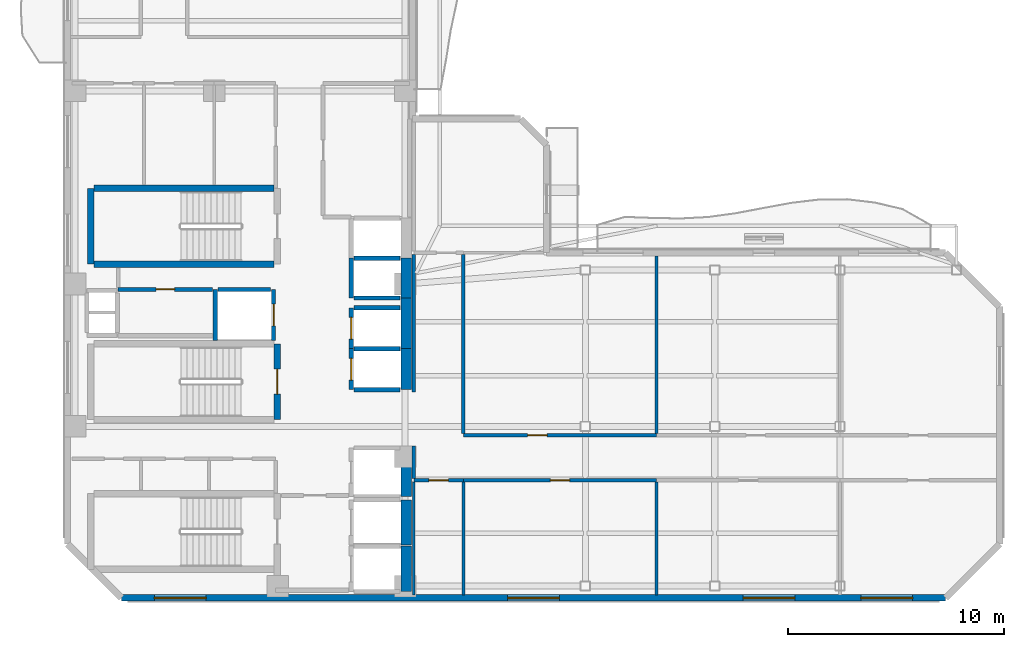
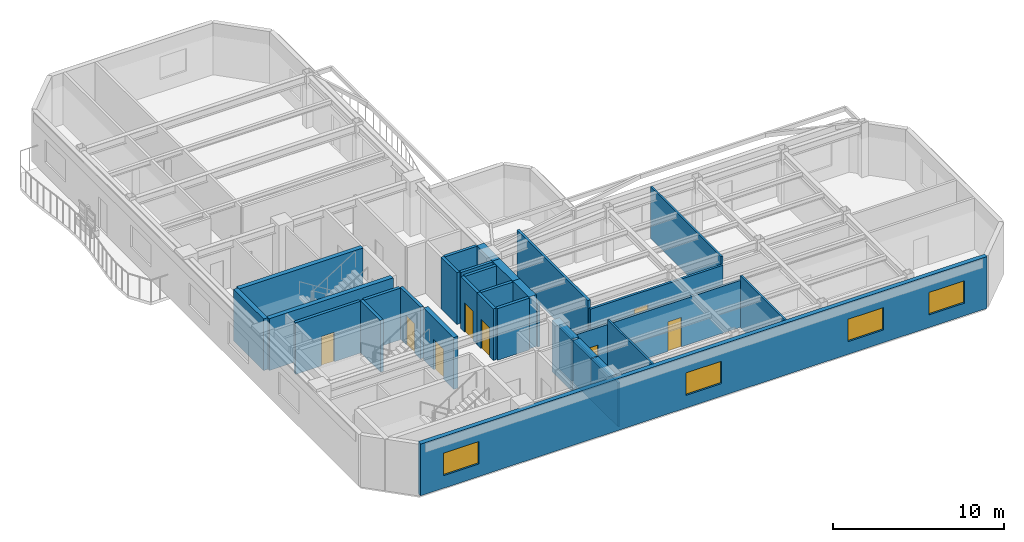
# One storey, part 3 of 11: 33 walls, 8 doors, 4 windows, 12 openings.
"""IFC4 building model written with IfcOpenShell, lengths in metres."""

from ifc_helpers import new_model, si_unit, direction, frame, frame_2d, origin, place, context, subcontext, project, spatial, rectangle, extrude, material, layer, layer_set, type_object, element, fill, save


model = new_model("IFC4")

# Units and contexts
model_context = context("Model", 3, precision=1e-05, world=origin(), true_north=direction((0.0, 1.0)))
body_context = subcontext(model_context, "Body", "Model", "MODEL_VIEW")
ifc_project = project(units=[si_unit("LENGTHUNIT", "METRE"), si_unit("AREAUNIT", "SQUARE_METRE"), si_unit("VOLUMEUNIT", "CUBIC_METRE"), si_unit("PLANEANGLEUNIT", "RADIAN"), si_unit("MASSUNIT", "GRAM", prefix="KILO")], contexts=[model_context])

# Site, building, storey
site_placement = place(None, origin())
site = spatial("IfcSite", under=ifc_project, at=site_placement, CompositionType="ELEMENT")
building_placement = place(site_placement, origin())
building = spatial("IfcBuilding", under=site, at=building_placement, Name="Mawjaban Terraces University", CompositionType="ELEMENT")
storey_placement = place(building_placement, frame((0.0, 0.0, 214.800048828125)))
storey = spatial("IfcBuildingStorey", under=building, at=storey_placement, Name="L52", CompositionType="ELEMENT", Elevation=214.800048828125)

# Walls
ifc_material_1 = material(Name="Concrete C60/75", Category="concrete")
ifc_layer_1 = layer(ifc_material_1, 0.5)
ifc_layer_set_1 = layer_set([ifc_layer_1], Name="Concrete C60/75")
wall_type_1 = type_object("IfcWallType", Name="CoreShearWall_500", PredefinedType="SHEAR", material=ifc_layer_set_1)
wall_1_placement = place(storey_placement, frame((37.699951171875, 0.300048828125, 0.0), z_axis=(0.0, 0.0, 1.0), x_axis=(0.0, 1.0, 0.0)))
element("IfcWall", 1, at=wall_1_placement, inside=storey, type_object=wall_type_1, Name="L52 Lift FL-1 Hoistway Wall East", PredefinedType="SHEAR", context=body_context, shape_type="SweptSolid", body=[
    extrude(rectangle(XDim=2.099853515625, YDim=0.5, at=frame_2d((1.0498046875, 0.0))), origin(), (0.0, 0.0, 1.0), 3.68994140625),
])
wall_2_placement = place(storey_placement, frame((37.699951171875, 2.449951171875, 0.0), z_axis=(0.0, 0.0, 1.0), x_axis=(0.0, 1.0, 0.0)))
element("IfcWall", 2, at=wall_2_placement, inside=storey, type_object=wall_type_1, Name="L52 Lift FL-2 Hoistway Wall East", PredefinedType="SHEAR", context=body_context, shape_type="SweptSolid", body=[
    extrude(rectangle(XDim=2.10009765625, YDim=0.5, at=frame_2d((1.050048828125, 0.0))), origin(), (0.0, 0.0, 1.0), 3.68994140625),
])
wall_3_placement = place(storey_placement, frame((37.699951171875, 4.699951171875, 0.0), z_axis=(0.0, 0.0, 1.0), x_axis=(0.0, 1.0, 0.0)))
element("IfcWall", 3, at=wall_3_placement, inside=storey, type_object=wall_type_1, Name="L52 Lift SL-1 Hoistway Wall East", PredefinedType="SHEAR", context=body_context, shape_type="SweptSolid", body=[
    extrude(rectangle(XDim=2.25, YDim=0.5, at=frame_2d((1.125, 0.0))), origin(), (0.0, 0.0, 1.0), 3.68994140625),
])
wall_4_placement = place(storey_placement, frame((37.699951171875, 9.64990234375, 0.0), z_axis=(0.0, 0.0, 1.0), x_axis=(0.0, 1.0, 0.0)))
element("IfcWall", 4, at=wall_4_placement, inside=storey, type_object=wall_type_1, Name="L52 Lift PL-H1 Hoistway Wall East", PredefinedType="SHEAR", context=body_context, shape_type="SweptSolid", body=[
    extrude(rectangle(XDim=1.900146484375, YDim=0.5, at=frame_2d((0.9501953125, 0.0))), origin(), (0.0, 0.0, 1.0), 3.68994140625),
])
wall_5_placement = place(storey_placement, frame((37.699951171875, 11.550048828125, 0.0), z_axis=(0.0, 0.0, 1.0), x_axis=(0.0, 1.0, 0.0)))
element("IfcWall", 5, at=wall_5_placement, inside=storey, type_object=wall_type_1, Name="L52 Lift PL-H2 Hoistway Wall East", PredefinedType="SHEAR", context=body_context, shape_type="SweptSolid", body=[
    extrude(rectangle(XDim=2.349853515625, YDim=0.5, at=frame_2d((1.1748046875, 0.0))), origin(), (0.0, 0.0, 1.0), 3.68994140625),
])
wall_6_placement = place(storey_placement, frame((37.699951171875, 13.89990234375, 0.0), z_axis=(0.0, 0.0, 1.0), x_axis=(0.0, 1.0, 0.0)))
element("IfcWall", 6, at=wall_6_placement, inside=storey, type_object=wall_type_1, Name="L52 Lift OL-1 Hoistway Wall East", PredefinedType="SHEAR", context=body_context, shape_type="SweptSolid", body=[
    extrude(rectangle(XDim=1.85009765625, YDim=0.5, at=frame_2d((0.925048828125, 0.0))), origin(), (0.0, 0.0, 1.0), 3.68994140625),
])

# Wall, opening, door
ifc_material_2 = material(Name="Fire-rated gypsum board on steel stud", Category="steel")
ifc_layer_2 = layer(ifc_material_2, 0.159912109375)
ifc_layer_set_2 = layer_set([ifc_layer_2], Name="Fire-rated gypsum board on steel stud")
wall_type_2 = type_object("IfcWallType", Name="CorridorPartition_160", PredefinedType="PARTITIONING", material=ifc_layer_set_2)
wall_7_placement = place(storey_placement, frame((38.050048828125, 5.449951171875, 0.0), z_axis=(0.0, 0.0, 1.0), x_axis=(1.0, 0.0, 0.0)))
wall_7 = element("IfcWall", 7, at=wall_7_placement, inside=storey, type_object=wall_type_2, Name="L52 South Spine Spur Link Partition 15", PredefinedType="PARTITIONING", context=body_context, shape_type="SweptSolid", body=[
    extrude(rectangle(XDim=2.300048828125, YDim=0.159912109375, at=frame_2d((1.14990234375, 0.0))), origin(), (0.0, 0.0, 1.0), 3.343017578125),
])
opening_1_placement = place(wall_7_placement, frame((0.699951171875, 0.0, 0.0)))
opening_1 = element("IfcOpeningElement", 8, at=opening_1_placement, cuts=wall_7, Name="Opening ID-090", PredefinedType="OPENING", context=body_context, shape_type="SweptSolid", body=[
    extrude(rectangle(XDim=0.89990234375, YDim=2.10009765625, at=frame_2d((0.449951171875, 1.050048828125))), frame((0.0, 0.08984375, 0.0), z_axis=(0.0, -1.0, 0.0), x_axis=(1.0, 0.0, 0.0)), (0.0, 0.0, 1.0), 0.179931640625),
])
ifc_material_3 = material(Name="Powder-coated steel frame and solid acoustic timber leaf", Category="steel")
door_type_1 = type_object("IfcDoorType", Name="OfficeDoor_900x2100", OperationType="NOTDEFINED", PredefinedType="DOOR", material=ifc_material_3)
door_1_placement = place(opening_1_placement, origin())
door_1 = element("IfcDoor", 9, at=door_1_placement, inside=storey, type_object=door_type_1, Name="L52 Collaborative Study Room 1 Door", OperationType="SINGLE_SWING_LEFT", OverallHeight=2.10009765625, OverallWidth=0.89990234375, PredefinedType="DOOR", context=body_context, shape_type="SweptSolid", body=[
    extrude(rectangle(XDim=0.89990234375, YDim=2.10009765625, at=frame_2d((0.449951171875, 1.050048828125))), frame((0.0, 0.02490234375, 0.0), z_axis=(0.0, -1.0, 0.0), x_axis=(1.0, 0.0, 0.0)), (0.0, 0.0, 1.0), 0.050048828125),
])
fill(opening_1, door_1)

wall_8_placement = place(storey_placement, frame((40.35009765625, 5.449951171875, 0.0), z_axis=(0.0, 0.0, 1.0), x_axis=(1.0, 0.0, 0.0)))
wall_8 = element("IfcWall", 10, at=wall_8_placement, inside=storey, type_object=wall_type_2, Name="L52 South Shifted Academic Corridor Partition 16", PredefinedType="PARTITIONING", context=body_context, shape_type="SweptSolid", body=[
    extrude(rectangle(XDim=8.949951171875, YDim=0.159912109375, at=frame_2d((4.47509765625, 0.0))), origin(), (0.0, 0.0, 1.0), 3.343017578125),
])
opening_2_placement = place(wall_8_placement, frame((4.02490234375, 0.0, 0.0)))
opening_2 = element("IfcOpeningElement", 11, at=opening_2_placement, cuts=wall_8, Name="Opening ID-090", PredefinedType="OPENING", context=body_context, shape_type="SweptSolid", body=[
    extrude(rectangle(XDim=0.89990234375, YDim=2.10009765625, at=frame_2d((0.449951171875, 1.050048828125))), frame((0.0, 0.08984375, 0.0), z_axis=(0.0, -1.0, 0.0), x_axis=(1.0, 0.0, 0.0)), (0.0, 0.0, 1.0), 0.179931640625),
])
door_2_placement = place(opening_2_placement, origin())
door_2 = element("IfcDoor", 12, at=door_2_placement, inside=storey, type_object=door_type_1, Name="L52 Graduate Study Lounge 2 Door", OperationType="SINGLE_SWING_RIGHT", OverallHeight=2.10009765625, OverallWidth=0.89990234375, PredefinedType="DOOR", context=body_context, shape_type="SweptSolid", body=[
    extrude(rectangle(XDim=0.89990234375, YDim=2.10009765625, at=frame_2d((0.449951171875, 1.050048828125))), frame((0.0, 0.02490234375, 0.0), z_axis=(0.0, -1.0, 0.0), x_axis=(1.0, 0.0, 0.0)), (0.0, 0.0, 1.0), 0.050048828125),
])
fill(opening_2, door_2)

wall_9_placement = place(storey_placement, frame((49.300048828125, 7.550048828125, 0.0), z_axis=(0.0, 0.0, 1.0), x_axis=(-1.0, 0.0, 0.0)))
wall_9 = element("IfcWall", 13, at=wall_9_placement, inside=storey, type_object=wall_type_2, Name="L52 South Shifted Academic Corridor Partition 20", PredefinedType="PARTITIONING", context=body_context, shape_type="SweptSolid", body=[
    extrude(rectangle(XDim=8.949951171875, YDim=0.159912109375, at=frame_2d((4.47509765625, 0.0))), origin(), (0.0, 0.0, 1.0), 3.138916015625),
])
opening_3_placement = place(wall_9_placement, frame((5.074951171875, 0.0, 0.0)))
opening_3 = element("IfcOpeningElement", 14, at=opening_3_placement, cuts=wall_9, Name="Opening ID-090", PredefinedType="OPENING", context=body_context, shape_type="SweptSolid", body=[
    extrude(rectangle(XDim=0.89990234375, YDim=2.10009765625, at=frame_2d((0.449951171875, 1.050048828125))), frame((0.0, 0.08984375, 0.0), z_axis=(0.0, -1.0, 0.0), x_axis=(1.0, 0.0, 0.0)), (0.0, 0.0, 1.0), 0.179931640625),
])
door_3_placement = place(opening_3_placement, origin())
door_3 = element("IfcDoor", 15, at=door_3_placement, inside=storey, type_object=door_type_1, Name="L52 Collaborative Study Room 3 Door", OperationType="SINGLE_SWING_LEFT", OverallHeight=2.10009765625, OverallWidth=0.89990234375, PredefinedType="DOOR", context=body_context, shape_type="SweptSolid", body=[
    extrude(rectangle(XDim=0.89990234375, YDim=2.10009765625, at=frame_2d((0.449951171875, 1.050048828125))), frame((0.0, 0.02490234375, 0.0), z_axis=(0.0, -1.0, 0.0), x_axis=(1.0, 0.0, 0.0)), (0.0, 0.0, 1.0), 0.050048828125),
])
fill(opening_3, door_3)

# Walls
wall_10_placement = place(storey_placement, frame((38.050048828125, 7.050048828125, 0.0), z_axis=(0.0, 0.0, 1.0), x_axis=(0.0, -1.0, 0.0)))
element("IfcWall", 16, at=wall_10_placement, inside=storey, type_object=wall_type_2, Name="L52 South Spine Spur Link Partition 36", PredefinedType="PARTITIONING", context=body_context, shape_type="SweptSolid", body=[
    extrude(rectangle(XDim=1.525146484375, YDim=0.159912109375, at=frame_2d((0.7626953125, 0.0))), origin(), (0.0, 0.0, 1.0), 3.138916015625),
])
wall_11_placement = place(storey_placement, frame((38.050048828125, 15.925048828125, 0.0), z_axis=(0.0, 0.0, 1.0), x_axis=(0.0, -1.0, 0.0)))
element("IfcWall", 17, at=wall_11_placement, inside=storey, type_object=wall_type_2, Name="L52 South Spine Spur Link Partition 37", PredefinedType="PARTITIONING", context=body_context, shape_type="SweptSolid", body=[
    extrude(rectangle(XDim=6.375, YDim=0.159912109375, at=frame_2d((3.1875, 0.0))), origin(), (0.0, 0.0, 1.0), 3.138916015625),
])
wall_12_placement = place(storey_placement, frame((40.35009765625, 7.625, 0.0), z_axis=(0.0, 0.0, 1.0), x_axis=(0.0, 1.0, 0.0)))
element("IfcWall", 18, at=wall_12_placement, inside=storey, type_object=wall_type_2, Name="L52 South Spine Spur Link Partition 40", PredefinedType="PARTITIONING", context=body_context, shape_type="SweptSolid", body=[
    extrude(rectangle(XDim=8.300048828125, YDim=0.159912109375, at=frame_2d((4.14990234375, 0.0))), origin(), (0.0, 0.0, 1.0), 3.68994140625),
])

# Wall, openings, windows
ifc_material_4 = material(Name="Insulated terracotta rainscreen on concrete backup C40/50", Category="masonry")
ifc_layer_3 = layer(ifc_material_4, 0.300048828125)
ifc_layer_set_3 = layer_set([ifc_layer_3], Name="Insulated terracotta rainscreen on concrete backup C40/50")
wall_type_3 = type_object("IfcWallType", Name="ExtTerracottaWall_300", PredefinedType="SOLIDWALL", material=ifc_layer_set_3)
wall_13_placement = place(storey_placement, frame((24.5, 0.0, 0.0), z_axis=(0.0, 0.0, 1.0), x_axis=(1.0, 0.0, 0.0)))
wall_13 = element("IfcWall", 19, at=wall_13_placement, inside=storey, type_object=wall_type_3, Name="L52 Exterior Terracotta Wall 1", PredefinedType="SOLIDWALL", context=body_context, shape_type="SweptSolid", body=[
    extrude(rectangle(XDim=38.199951171875, YDim=0.300048828125, at=frame_2d((19.10009765625, 0.0))), origin(), (0.0, 0.0, 1.0), 3.68994140625),
])
opening_4_placement = place(wall_13_placement, frame((1.529052734375, 0.0, 0.89990234375)))
opening_4 = element("IfcOpeningElement", 20, at=opening_4_placement, cuts=wall_13, Name="Opening W-05", PredefinedType="OPENING", context=body_context, shape_type="SweptSolid", body=[
    extrude(rectangle(XDim=2.39990234375, YDim=1.60009765625, at=frame_2d((1.199951171875, 0.800048828125))), frame((0.0, 0.159912109375, 0.0), z_axis=(0.0, -1.0, 0.0), x_axis=(1.0, 0.0, 0.0)), (0.0, 0.0, 1.0), 0.320068359375),
])
opening_5_placement = place(wall_13_placement, frame((17.89990234375, 0.0, 0.89990234375)))
opening_5 = element("IfcOpeningElement", 21, at=opening_5_placement, cuts=wall_13, Name="Opening W-05", PredefinedType="OPENING", context=body_context, shape_type="SweptSolid", body=[
    extrude(rectangle(XDim=2.39990234375, YDim=1.60009765625, at=frame_2d((1.199951171875, 0.800048828125))), frame((0.0, 0.159912109375, 0.0), z_axis=(0.0, -1.0, 0.0), x_axis=(1.0, 0.0, 0.0)), (0.0, 0.0, 1.0), 0.320068359375),
])
opening_6_placement = place(wall_13_placement, frame((28.81396484375, 0.0, 0.89990234375)))
opening_6 = element("IfcOpeningElement", 22, at=opening_6_placement, cuts=wall_13, Name="Opening W-05", PredefinedType="OPENING", context=body_context, shape_type="SweptSolid", body=[
    extrude(rectangle(XDim=2.39990234375, YDim=1.60009765625, at=frame_2d((1.199951171875, 0.800048828125))), frame((0.0, 0.159912109375, 0.0), z_axis=(0.0, -1.0, 0.0), x_axis=(1.0, 0.0, 0.0)), (0.0, 0.0, 1.0), 0.320068359375),
])
opening_7_placement = place(wall_13_placement, frame((34.27099609375, 0.0, 0.89990234375)))
opening_7 = element("IfcOpeningElement", 23, at=opening_7_placement, cuts=wall_13, Name="Opening W-05", PredefinedType="OPENING", context=body_context, shape_type="SweptSolid", body=[
    extrude(rectangle(XDim=2.39990234375, YDim=1.60009765625, at=frame_2d((1.199951171875, 0.800048828125))), frame((0.0, 0.159912109375, 0.0), z_axis=(0.0, -1.0, 0.0), x_axis=(1.0, 0.0, 0.0)), (0.0, 0.0, 1.0), 0.320068359375),
])
ifc_material_5 = material(Name="Low-E solar-control double glazing in thermally broken aluminium frame", Category="aluminium")
window_type = type_object("IfcWindowType", Name="Win_2400x1600", PartitioningType="SINGLE_PANEL", PredefinedType="WINDOW", material=ifc_material_5)
window_1_placement = place(opening_4_placement, origin())
window_1 = element("IfcWindow", 24, at=window_1_placement, inside=storey, type_object=window_type, Name="L52 Facade Window 1.1", OverallHeight=1.60009765625, OverallWidth=2.39990234375, PartitioningType="SINGLE_PANEL", PredefinedType="WINDOW", context=body_context, shape_type="SweptSolid", body=[
    extrude(rectangle(XDim=2.39990234375, YDim=1.60009765625, at=frame_2d((1.199951171875, 0.800048828125))), frame((0.0, 0.030029296875, 0.0), z_axis=(0.0, -1.0, 0.0), x_axis=(1.0, 0.0, 0.0)), (0.0, 0.0, 1.0), 0.06005859375),
])
fill(opening_4, window_1)
window_2_placement = place(opening_5_placement, origin())
window_2 = element("IfcWindow", 25, at=window_2_placement, inside=storey, type_object=window_type, Name="L52 Facade Window 1.4", OverallHeight=1.60009765625, OverallWidth=2.39990234375, PartitioningType="SINGLE_PANEL", PredefinedType="WINDOW", context=body_context, shape_type="SweptSolid", body=[
    extrude(rectangle(XDim=2.39990234375, YDim=1.60009765625, at=frame_2d((1.199951171875, 0.800048828125))), frame((0.0, 0.030029296875, 0.0), z_axis=(0.0, -1.0, 0.0), x_axis=(1.0, 0.0, 0.0)), (0.0, 0.0, 1.0), 0.06005859375),
])
fill(opening_5, window_2)
window_3_placement = place(opening_6_placement, origin())
window_3 = element("IfcWindow", 26, at=window_3_placement, inside=storey, type_object=window_type, Name="L52 Facade Window 1.6", OverallHeight=1.60009765625, OverallWidth=2.39990234375, PartitioningType="SINGLE_PANEL", PredefinedType="WINDOW", context=body_context, shape_type="SweptSolid", body=[
    extrude(rectangle(XDim=2.39990234375, YDim=1.60009765625, at=frame_2d((1.199951171875, 0.800048828125))), frame((0.0, 0.030029296875, 0.0), z_axis=(0.0, -1.0, 0.0), x_axis=(1.0, 0.0, 0.0)), (0.0, 0.0, 1.0), 0.06005859375),
])
fill(opening_6, window_3)
window_4_placement = place(opening_7_placement, origin())
window_4 = element("IfcWindow", 27, at=window_4_placement, inside=storey, type_object=window_type, Name="L52 Facade Window 1.7", OverallHeight=1.60009765625, OverallWidth=2.39990234375, PartitioningType="SINGLE_PANEL", PredefinedType="WINDOW", context=body_context, shape_type="SweptSolid", body=[
    extrude(rectangle(XDim=2.39990234375, YDim=1.60009765625, at=frame_2d((1.199951171875, 0.800048828125))), frame((0.0, 0.030029296875, 0.0), z_axis=(0.0, -1.0, 0.0), x_axis=(1.0, 0.0, 0.0)), (0.0, 0.0, 1.0), 0.06005859375),
])
fill(opening_7, window_4)

# Wall, opening, door
ifc_material_6 = material(Name="Concrete C40/50", Category="concrete")
ifc_layer_4 = layer(ifc_material_6, 0.199951171875)
ifc_layer_set_4 = layer_set([ifc_layer_4], Name="Concrete C40/50")
wall_type_4 = type_object("IfcWallType", Name="FireLobbyWall_200", PredefinedType="SOLIDWALL", material=ifc_layer_set_4)
wall_14_placement = place(storey_placement, frame((35.14990234375, 11.550048828125, 0.0), z_axis=(0.0, 0.0, 1.0), x_axis=(0.0, -1.0, 0.0)))
wall_14 = element("IfcWall", 28, at=wall_14_placement, inside=storey, type_object=wall_type_4, Name="L52 Lift PL-H1 Hoistway Wall West", PredefinedType="SOLIDWALL", context=body_context, shape_type="SweptSolid", body=[
    extrude(rectangle(XDim=1.900146484375, YDim=0.199951171875, at=frame_2d((0.9501953125, 0.0))), origin(), (0.0, 0.0, 1.0), 3.68994140625),
])
opening_8_placement = place(wall_14_placement, frame((0.449951171875, 0.0, 0.0)))
opening_8 = element("IfcOpeningElement", 29, at=opening_8_placement, cuts=wall_14, Name="Opening LD-PL-H1", PredefinedType="OPENING", context=body_context, shape_type="SweptSolid", body=[
    extrude(rectangle(XDim=1.0, YDim=2.10009765625, at=frame_2d((0.5, 1.050048828125))), frame((0.0, 0.10986328125, 0.0), z_axis=(0.0, -1.0, 0.0), x_axis=(1.0, 0.0, 0.0)), (0.0, 0.0, 1.0), 0.219970703125),
])
ifc_material_7 = material(Name="Powder-coated steel frame and fire-rated steel-faced leaf", Category="steel")
door_type_2 = type_object("IfcDoorType", Name="LiftLandingSliding_1000x2100", OperationType="NOTDEFINED", PredefinedType="DOOR", material=ifc_material_7)
door_4_placement = place(opening_8_placement, origin())
door_4 = element("IfcDoor", 30, at=door_4_placement, inside=storey, type_object=door_type_2, Name="L52 Lift PL-H1 Sliding Landing Door", OperationType="DOUBLE_DOOR_SLIDING", OverallHeight=2.10009765625, OverallWidth=1.0, PredefinedType="DOOR", context=body_context, shape_type="SweptSolid", body=[
    extrude(rectangle(XDim=1.0, YDim=2.10009765625, at=frame_2d((0.5, 1.050048828125))), frame((0.0, 0.02490234375, 0.0), z_axis=(0.0, -1.0, 0.0), x_axis=(1.0, 0.0, 0.0)), (0.0, 0.0, 1.0), 0.050048828125),
])
fill(opening_8, door_4)

# Walls
for number, where, z_axis, x_axis, name in (
    (31, (35.280029296875, 9.64990234375, 0.0), (0.0, 0.0, 1.0), (1.0, 0.0, 0.0), "L52 Lift PL-H1 Hoistway Wall South"),
    (32, (37.419921875, 11.550048828125, 0.0), (0.0, 0.0, 1.0), (-1.0, 0.0, 0.0), "L52 Lift PL-H1 Hoistway Wall North"),
):
    element("IfcWall", number, at=place(storey_placement, frame(where, z_axis=z_axis, x_axis=x_axis)), inside=storey, type_object=wall_type_4, Name=name, PredefinedType="SOLIDWALL", context=body_context, shape_type="SweptSolid", body=[
        extrude(rectangle(XDim=2.139892578125, YDim=0.199951171875, at=frame_2d((1.06982421875, 0.0))), origin(), (0.0, 0.0, 1.0), 3.68994140625),
    ])

# Wall, opening, door
wall_15_placement = place(storey_placement, frame((35.14990234375, 13.449951171875, 0.0), z_axis=(0.0, 0.0, 1.0), x_axis=(0.0, -1.0, 0.0)))
wall_15 = element("IfcWall", 33, at=wall_15_placement, inside=storey, type_object=wall_type_4, Name="L52 Lift PL-H2 Hoistway Wall West", PredefinedType="SOLIDWALL", context=body_context, shape_type="SweptSolid", body=[
    extrude(rectangle(XDim=1.89990234375, YDim=0.199951171875, at=frame_2d((0.949951171875, 0.0))), origin(), (0.0, 0.0, 1.0), 3.68994140625),
])
opening_9_placement = place(wall_15_placement, frame((0.449951171875, 0.0, 0.0)))
opening_9 = element("IfcOpeningElement", 34, at=opening_9_placement, cuts=wall_15, Name="Opening LD-PL-H2", PredefinedType="OPENING", context=body_context, shape_type="SweptSolid", body=[
    extrude(rectangle(XDim=1.0, YDim=2.10009765625, at=frame_2d((0.5, 1.050048828125))), frame((0.0, 0.10986328125, 0.0), z_axis=(0.0, -1.0, 0.0), x_axis=(1.0, 0.0, 0.0)), (0.0, 0.0, 1.0), 0.219970703125),
])
door_5_placement = place(opening_9_placement, origin())
door_5 = element("IfcDoor", 35, at=door_5_placement, inside=storey, type_object=door_type_2, Name="L52 Lift PL-H2 Sliding Landing Door", OperationType="DOUBLE_DOOR_SLIDING", OverallHeight=2.10009765625, OverallWidth=1.0, PredefinedType="DOOR", context=body_context, shape_type="SweptSolid", body=[
    extrude(rectangle(XDim=1.0, YDim=2.10009765625, at=frame_2d((0.5, 1.050048828125))), frame((0.0, 0.02490234375, 0.0), z_axis=(0.0, -1.0, 0.0), x_axis=(1.0, 0.0, 0.0)), (0.0, 0.0, 1.0), 0.050048828125),
])
fill(opening_9, door_5)

# Walls
wall_16_placement = place(storey_placement, frame((37.419921875, 13.449951171875, 0.0), z_axis=(0.0, 0.0, 1.0), x_axis=(-1.0, 0.0, 0.0)))
element("IfcWall", 36, at=wall_16_placement, inside=storey, type_object=wall_type_4, Name="L52 Lift PL-H2 Hoistway Wall North", PredefinedType="SOLIDWALL", context=body_context, shape_type="SweptSolid", body=[
    extrude(rectangle(XDim=2.139892578125, YDim=0.199951171875, at=frame_2d((1.06982421875, 0.0))), origin(), (0.0, 0.0, 1.0), 3.68994140625),
])
wall_17_placement = place(storey_placement, frame((28.85009765625, 14.300048828125, 0.0), z_axis=(0.0, 0.0, 1.0), x_axis=(0.0, -1.0, 0.0)))
element("IfcWall", 37, at=wall_17_placement, inside=storey, type_object=wall_type_4, Name="L52 Lift PL-H3 Hoistway Wall West", PredefinedType="SOLIDWALL", context=body_context, shape_type="SweptSolid", body=[
    extrude(rectangle(XDim=2.3701171875, YDim=0.199951171875, at=frame_2d((1.18505859375, 0.0))), origin(), (0.0, 0.0, 1.0), 3.68994140625),
])

# Wall, opening, door
wall_18_placement = place(storey_placement, frame((31.550048828125, 11.929931640625, 0.0), z_axis=(0.0, 0.0, 1.0), x_axis=(0.0, 1.0, 0.0)))
wall_18 = element("IfcWall", 38, at=wall_18_placement, inside=storey, type_object=wall_type_4, Name="L52 Lift PL-H3 Hoistway Wall East", PredefinedType="SOLIDWALL", context=body_context, shape_type="SweptSolid", body=[
    extrude(rectangle(XDim=2.3701171875, YDim=0.199951171875, at=frame_2d((1.18505859375, 0.0))), origin(), (0.0, 0.0, 1.0), 3.68994140625),
])
opening_10_placement = place(wall_18_placement, frame((0.68505859375, 0.0, 0.0)))
opening_10 = element("IfcOpeningElement", 39, at=opening_10_placement, cuts=wall_18, Name="Opening LD-PL-H3", PredefinedType="OPENING", context=body_context, shape_type="SweptSolid", body=[
    extrude(rectangle(XDim=1.0, YDim=2.10009765625, at=frame_2d((0.5, 1.050048828125))), frame((0.0, 0.10986328125, 0.0), z_axis=(0.0, -1.0, 0.0), x_axis=(1.0, 0.0, 0.0)), (0.0, 0.0, 1.0), 0.219970703125),
])
door_6_placement = place(opening_10_placement, origin())
door_6 = element("IfcDoor", 40, at=door_6_placement, inside=storey, type_object=door_type_2, Name="L52 Lift PL-H3 Sliding Landing Door", OperationType="DOUBLE_DOOR_SLIDING", OverallHeight=2.10009765625, OverallWidth=1.0, PredefinedType="DOOR", context=body_context, shape_type="SweptSolid", body=[
    extrude(rectangle(XDim=1.0, YDim=2.10009765625, at=frame_2d((0.5, 1.050048828125))), frame((0.0, 0.02490234375, 0.0), z_axis=(0.0, -1.0, 0.0), x_axis=(1.0, 0.0, 0.0)), (0.0, 0.0, 1.0), 0.050048828125),
])
fill(opening_10, door_6)

# Walls
wall_19_placement = place(storey_placement, frame((31.419921875, 14.300048828125, 0.0), z_axis=(0.0, 0.0, 1.0), x_axis=(-1.0, 0.0, 0.0)))
element("IfcWall", 41, at=wall_19_placement, inside=storey, type_object=wall_type_4, Name="L52 Lift PL-H3 Hoistway Wall North", PredefinedType="SOLIDWALL", context=body_context, shape_type="SweptSolid", body=[
    extrude(rectangle(XDim=2.43994140625, YDim=0.199951171875, at=frame_2d((1.219970703125, 0.0))), origin(), (0.0, 0.0, 1.0), 3.68994140625),
])
wall_20_placement = place(storey_placement, frame((35.14990234375, 15.75, 0.0), z_axis=(0.0, 0.0, 1.0), x_axis=(0.0, -1.0, 0.0)))
element("IfcWall", 42, at=wall_20_placement, inside=storey, type_object=wall_type_4, Name="L52 Lift OL-1 Hoistway Wall West", PredefinedType="SOLIDWALL", context=body_context, shape_type="SweptSolid", body=[
    extrude(rectangle(XDim=1.85009765625, YDim=0.199951171875, at=frame_2d((0.925048828125, 0.0))), origin(), (0.0, 0.0, 1.0), 3.68994140625),
])
for number, where, z_axis, x_axis, name in (
    (43, (35.280029296875, 13.89990234375, 0.0), (0.0, 0.0, 1.0), (1.0, 0.0, 0.0), "L52 Lift OL-1 Hoistway Wall South"),
    (44, (37.419921875, 15.75, 0.0), (0.0, 0.0, 1.0), (-1.0, 0.0, 0.0), "L52 Lift OL-1 Hoistway Wall North"),
):
    element("IfcWall", number, at=place(storey_placement, frame(where, z_axis=z_axis, x_axis=x_axis)), inside=storey, type_object=wall_type_4, Name=name, PredefinedType="SOLIDWALL", context=body_context, shape_type="SweptSolid", body=[
        extrude(rectangle(XDim=2.139892578125, YDim=0.199951171875, at=frame_2d((1.06982421875, 0.0))), origin(), (0.0, 0.0, 1.0), 3.68994140625),
    ])

# Wall, opening, door
wall_21_placement = place(storey_placement, frame((24.35009765625, 14.300048828125, 0.0), z_axis=(0.0, 0.0, 1.0), x_axis=(1.0, 0.0, 0.0)))
wall_21 = element("IfcWall", 45, at=wall_21_placement, inside=storey, type_object=wall_type_4, Name="L52 Core Riser Access Passage Partition 3", PredefinedType="SOLIDWALL", context=body_context, shape_type="SweptSolid", body=[
    extrude(rectangle(XDim=4.369873046875, YDim=0.199951171875, at=frame_2d((2.18505859375, 0.0))), origin(), (0.0, 0.0, 1.0), 3.68994140625),
])
opening_11_placement = place(wall_21_placement, frame((1.760009765625, 0.0, 0.0)))
opening_11 = element("IfcOpeningElement", 46, at=opening_11_placement, cuts=wall_21, Name="Opening FD-085", PredefinedType="OPENING", context=body_context, shape_type="SweptSolid", body=[
    extrude(rectangle(XDim=0.85009765625, YDim=2.10009765625, at=frame_2d((0.425048828125, 1.050048828125))), frame((0.0, 0.10986328125, 0.0), z_axis=(0.0, -1.0, 0.0), x_axis=(1.0, 0.0, 0.0)), (0.0, 0.0, 1.0), 0.219970703125),
])
door_type_3 = type_object("IfcDoorType", Name="FireRiserDoor_850x2100", OperationType="NOTDEFINED", PredefinedType="DOOR", material=ifc_material_7)
door_7_placement = place(opening_11_placement, origin())
door_7 = element("IfcDoor", 47, at=door_7_placement, inside=storey, type_object=door_type_3, Name="L52 IT and Telecoms Riser Room Door", OperationType="SINGLE_SWING_RIGHT", OverallHeight=2.10009765625, OverallWidth=0.85009765625, PredefinedType="DOOR", context=body_context, shape_type="SweptSolid", body=[
    extrude(rectangle(XDim=0.85009765625, YDim=2.10009765625, at=frame_2d((0.425048828125, 1.050048828125))), frame((0.0, 0.02490234375, 0.0), z_axis=(0.0, -1.0, 0.0), x_axis=(1.0, 0.0, 0.0)), (0.0, 0.0, 1.0), 0.050048828125),
])
fill(opening_11, door_7)

# Walls
ifc_material_8 = material(Name="Gypsum plasterboard on steel stud", Category="steel")
ifc_layer_5 = layer(ifc_material_8, 0.125)
ifc_layer_set_5 = layer_set([ifc_layer_5], Name="Gypsum plasterboard on steel stud")
wall_type_5 = type_object("IfcWallType", Name="OfficePartition_125", PredefinedType="PARTITIONING", material=ifc_layer_set_5)
wall_22_placement = place(storey_placement, frame((38.050048828125, 5.375, 0.0), z_axis=(0.0, 0.0, 1.0), x_axis=(0.0, -1.0, 0.0)))
element("IfcWall", 48, at=wall_22_placement, inside=storey, type_object=wall_type_5, Name="L52 Collaborative Study Room 1 Partition 35", PredefinedType="PARTITIONING", context=body_context, shape_type="SweptSolid", body=[
    extrude(rectangle(XDim=5.22998046875, YDim=0.125, at=frame_2d((2.614990234375, 0.0))), origin(), (0.0, 0.0, 1.0), 3.138916015625),
])
for number, where, z_axis, x_axis, name in (
    (49, (40.35009765625, 0.14501953125, 0.0), (0.0, 0.0, 1.0), (0.0, 1.0, 0.0), "L52 Collaborative Study Room 1 Partition 39"),
    (50, (49.300048828125, 0.14501953125, 0.0), (0.0, 0.0, 1.0), (0.0, 1.0, 0.0), "L52 Graduate Study Lounge 2 Partition 41"),
):
    element("IfcWall", number, at=place(storey_placement, frame(where, z_axis=z_axis, x_axis=x_axis)), inside=storey, type_object=wall_type_5, Name=name, PredefinedType="PARTITIONING", context=body_context, shape_type="SweptSolid", body=[
        extrude(rectangle(XDim=5.22998046875, YDim=0.125, at=frame_2d((2.614990234375, 0.0))), origin(), (0.0, 0.0, 1.0), 3.68994140625),
    ])
wall_23_placement = place(storey_placement, frame((49.300048828125, 7.625, 0.0), z_axis=(0.0, 0.0, 1.0), x_axis=(0.0, 1.0, 0.0)))
element("IfcWall", 51, at=wall_23_placement, inside=storey, type_object=wall_type_5, Name="L52 Collaborative Study Room 3 Partition 42", PredefinedType="PARTITIONING", context=body_context, shape_type="SweptSolid", body=[
    extrude(rectangle(XDim=8.22998046875, YDim=0.125, at=frame_2d((4.114990234375, 0.0))), origin(), (0.0, 0.0, 1.0), 3.68994140625),
])
ifc_layer_6 = layer(ifc_material_1, 0.300048828125)
ifc_layer_set_6 = layer_set([ifc_layer_6], Name="Concrete C60/75")
wall_type_6 = type_object("IfcWallType", Name="StairShaftWall_300", PredefinedType="SHEAR", material=ifc_layer_set_6)
wall_24_placement = place(storey_placement, frame((31.580078125, 18.97998046875, 0.0), z_axis=(0.0, 0.0, 1.0), x_axis=(-1.0, 0.0, 0.0)))
element("IfcWall", 52, at=wall_24_placement, inside=storey, type_object=wall_type_6, Name="L52 ST-2 Stair Shaft Wall 1", PredefinedType="SHEAR", context=body_context, shape_type="SweptSolid", body=[
    extrude(rectangle(XDim=8.360107421875, YDim=0.300048828125, at=frame_2d((4.18017578125, 0.0))), origin(), (0.0, 0.0, 1.0), 3.68994140625),
])
wall_25_placement = place(storey_placement, frame((23.070068359375, 18.97998046875, 0.0), z_axis=(0.0, 0.0, 1.0), x_axis=(0.0, -1.0, 0.0)))
element("IfcWall", 53, at=wall_25_placement, inside=storey, type_object=wall_type_6, Name="L52 ST-2 Stair Shaft Wall 2", PredefinedType="SHEAR", context=body_context, shape_type="SweptSolid", body=[
    extrude(rectangle(XDim=3.510009765625, YDim=0.300048828125, at=frame_2d((1.7548828125, 0.0))), origin(), (0.0, 0.0, 1.0), 3.68994140625),
])
wall_26_placement = place(storey_placement, frame((23.219970703125, 15.469970703125, 0.0), z_axis=(0.0, 0.0, 1.0), x_axis=(1.0, 0.0, 0.0)))
element("IfcWall", 54, at=wall_26_placement, inside=storey, type_object=wall_type_6, Name="L52 ST-2 Stair Shaft Wall 3", PredefinedType="SHEAR", context=body_context, shape_type="SweptSolid", body=[
    extrude(rectangle(XDim=8.360107421875, YDim=0.300048828125, at=frame_2d((4.18017578125, 0.0))), origin(), (0.0, 0.0, 1.0), 3.68994140625),
])

# Wall, opening, door
wall_27_placement = place(storey_placement, frame((31.72998046875, 8.27001953125, 0.0), z_axis=(0.0, 0.0, 1.0), x_axis=(0.0, 1.0, 0.0)))
wall_27 = element("IfcWall", 55, at=wall_27_placement, inside=storey, type_object=wall_type_6, Name="L52 ST-3 Stair Shaft Wall 4", PredefinedType="SHEAR", context=body_context, shape_type="SweptSolid", body=[
    extrude(rectangle(XDim=3.510009765625, YDim=0.300048828125, at=frame_2d((1.7548828125, 0.0))), origin(), (0.0, 0.0, 1.0), 3.68994140625),
])
opening_12_placement = place(wall_27_placement, frame((1.179931640625, 0.0, 0.0)))
opening_12 = element("IfcOpeningElement", 56, at=opening_12_placement, cuts=wall_27, Name="Opening FD-115", PredefinedType="OPENING", context=body_context, shape_type="SweptSolid", body=[
    extrude(rectangle(XDim=1.14990234375, YDim=2.14990234375, at=frame_2d((0.574951171875, 1.074951171875))), frame((0.0, 0.159912109375, 0.0), z_axis=(0.0, -1.0, 0.0), x_axis=(1.0, 0.0, 0.0)), (0.0, 0.0, 1.0), 0.320068359375),
])
door_type_4 = type_object("IfcDoorType", Name="FireStairDoor_1150x2150", OperationType="NOTDEFINED", PredefinedType="DOOR", material=ifc_material_7)
door_8_placement = place(opening_12_placement, origin())
door_8 = element("IfcDoor", 57, at=door_8_placement, inside=storey, type_object=door_type_4, Name="L52 ST-3 Pressurised Stair Fire Door", OperationType="SINGLE_SWING_LEFT", OverallHeight=2.14990234375, OverallWidth=1.14990234375, PredefinedType="DOOR", context=body_context, shape_type="SweptSolid", body=[
    extrude(rectangle(XDim=1.14990234375, YDim=2.14990234375, at=frame_2d((0.574951171875, 1.074951171875))), frame((0.0, 0.02490234375, 0.0), z_axis=(0.0, -1.0, 0.0), x_axis=(1.0, 0.0, 0.0)), (0.0, 0.0, 1.0), 0.050048828125),
])
fill(opening_12, door_8)

save(model, "model.ifc")
